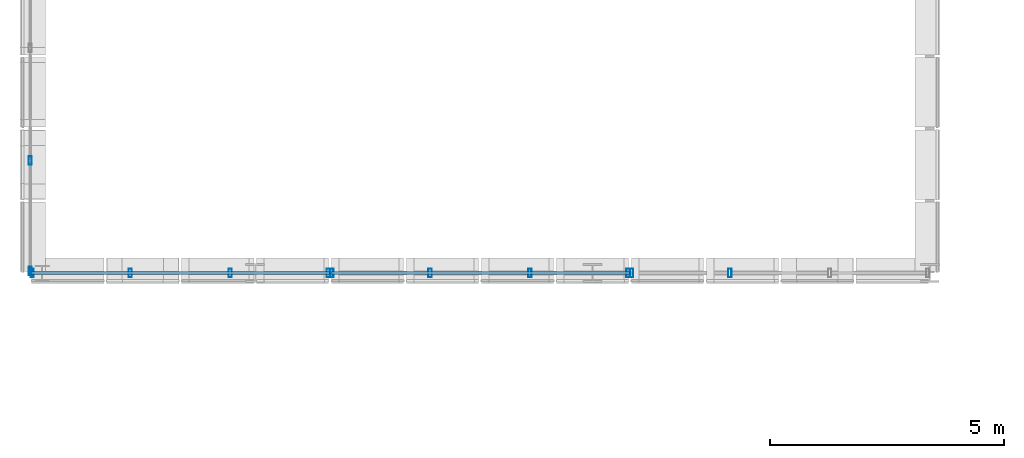
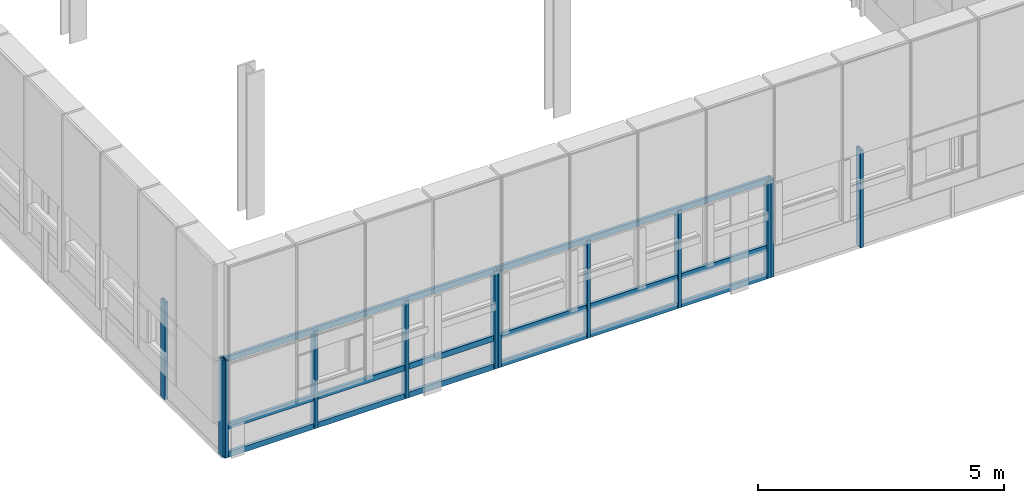
# One storey, part 10 of 96: 18 members, 4 elements without a shape of their own.
"""IFC4 building model written with IfcOpenShell, lengths in metres."""

from ifc_helpers import new_model, si_unit, direction, frame, origin, origin_2d, place, context, subcontext, project, spatial, hollow_rectangle, extrude, material, material_profile, profile_set, type_object, element, aggregate, save


model = new_model("IFC4")

# Units and contexts
model_context = context("Model", 3, precision=1e-05, world=origin(), true_north=direction((0.0, 1.0)))
body_context = subcontext(model_context, "Body", "Model", "MODEL_VIEW")
ifc_project = project(units=[si_unit("LENGTHUNIT", "METRE"), si_unit("AREAUNIT", "SQUARE_METRE"), si_unit("VOLUMEUNIT", "CUBIC_METRE"), si_unit("PLANEANGLEUNIT", "RADIAN"), si_unit("MASSUNIT", "GRAM", prefix="KILO")], contexts=[model_context])

# Site, building, storey
site_placement = place(None, origin())
site = spatial("IfcSite", under=ifc_project, at=site_placement, CompositionType="ELEMENT")
building_placement = place(site_placement, origin())
building = spatial("IfcBuilding", under=site, at=building_placement, Name="Yarey Park Central Fire Station", CompositionType="ELEMENT")
storey_placement = place(building_placement, frame((0.0, 0.0, 14.39990234375)))
storey = spatial("IfcBuildingStorey", under=building, at=storey_placement, Name="L04", CompositionType="ELEMENT", Elevation=14.39990234375)

# Curtain wall, members
ifc_material = material(Name="Anodized Aluminium Frame", Category="aluminium")
curtain_wall_type = type_object("IfcCurtainWallType", Name="ENV_CW_V3_OVR2", PredefinedType="NOTDEFINED", material=ifc_material)
curtain_wall_1_placement = place(storey_placement, origin())
curtain_wall_1 = element("IfcCurtainWall", 1, at=curtain_wall_1_placement, inside=storey, type_object=curtain_wall_type, Name="CW_L04_DRUM_S_065", PredefinedType="NOTDEFINED")
ifc_material_profile_1 = material_profile(ifc_material, hollow_rectangle(XDim=0.070068359375, YDim=0.179931640625, WallThickness=0.00390625, at=origin_2d()), Name="ALU 180x70x4")
ifc_profile_set_1 = profile_set([ifc_material_profile_1], Name="Anodized Aluminium Frame")
member_type_1 = type_object("IfcMemberType", Name="ENV_CW_MULLION", PredefinedType="MULLION", material=ifc_profile_set_1)
member_1_placement = place(storey_placement, frame((9.639892578125, 21.60009765625, 0.0), z_axis=(0.0, 0.0, 1.0), x_axis=(1.0, 0.0, 0.0)))
member_1 = element("IfcMember", 2, at=member_1_placement, type_object=member_type_1, Name="CW_L04_DRUM_S_065_MUL1", PredefinedType="MULLION", context=body_context, shape_type="SweptSolid", body=[
    extrude(hollow_rectangle(XDim=0.070068359375, YDim=0.179931640625, WallThickness=0.00390625, at=origin_2d()), origin(), (0.0, 0.0, 1.0), 2.420166015625),
])
member_2_placement = place(storey_placement, frame((11.7333984375, 21.60009765625, 0.0), z_axis=(0.0, 0.0, 1.0), x_axis=(1.0, 0.0, 0.0)))
member_2 = element("IfcMember", 3, at=member_2_placement, type_object=member_type_1, Name="CW_L04_DRUM_S_065_MUL2", PredefinedType="MULLION", context=body_context, shape_type="SweptSolid", body=[
    extrude(hollow_rectangle(XDim=0.070068359375, YDim=0.179931640625, WallThickness=0.00390625, at=origin_2d()), origin(), (0.0, 0.0, 1.0), 2.420166015625),
])
member_3_placement = place(storey_placement, frame((13.86669921875, 21.60009765625, 0.0), z_axis=(0.0, 0.0, 1.0), x_axis=(1.0, 0.0, 0.0)))
member_3 = element("IfcMember", 4, at=member_3_placement, type_object=member_type_1, Name="CW_L04_DRUM_S_065_MUL3", PredefinedType="MULLION", context=body_context, shape_type="SweptSolid", body=[
    extrude(hollow_rectangle(XDim=0.070068359375, YDim=0.179931640625, WallThickness=0.00390625, at=origin_2d()), origin(), (0.0, 0.0, 1.0), 2.420166015625),
])
member_4_placement = place(storey_placement, frame((15.9599609375, 21.60009765625, 0.0), z_axis=(0.0, 0.0, 1.0), x_axis=(1.0, 0.0, 0.0)))
member_4 = element("IfcMember", 5, at=member_4_placement, type_object=member_type_1, Name="CW_L04_DRUM_S_065_MUL4", PredefinedType="MULLION", context=body_context, shape_type="SweptSolid", body=[
    extrude(hollow_rectangle(XDim=0.070068359375, YDim=0.179931640625, WallThickness=0.00390625, at=origin_2d()), origin(), (0.0, 0.0, 1.0), 2.420166015625),
])

curtain_wall_2_placement = place(storey_placement, origin())
curtain_wall_2 = element("IfcCurtainWall", 6, at=curtain_wall_2_placement, inside=storey, type_object=curtain_wall_type, Name="CW_L04_DRUM_S_066", PredefinedType="NOTDEFINED")
member_5_placement = place(storey_placement, frame((16.0400390625, 21.60009765625, 0.0), z_axis=(0.0, 0.0, 1.0), x_axis=(1.0, 0.0, 0.0)))
member_5 = element("IfcMember", 7, at=member_5_placement, type_object=member_type_1, Name="CW_L04_DRUM_S_066_MUL1", PredefinedType="MULLION", context=body_context, shape_type="SweptSolid", body=[
    extrude(hollow_rectangle(XDim=0.070068359375, YDim=0.179931640625, WallThickness=0.00390625, at=origin_2d()), origin(), (0.0, 0.0, 1.0), 2.420166015625),
])
member_6_placement = place(storey_placement, frame((18.13330078125, 21.60009765625, 0.0), z_axis=(0.0, 0.0, 1.0), x_axis=(1.0, 0.0, 0.0)))
member_6 = element("IfcMember", 8, at=member_6_placement, type_object=member_type_1, Name="CW_L04_DRUM_S_066_MUL2", PredefinedType="MULLION", context=body_context, shape_type="SweptSolid", body=[
    extrude(hollow_rectangle(XDim=0.070068359375, YDim=0.179931640625, WallThickness=0.00390625, at=origin_2d()), origin(), (0.0, 0.0, 1.0), 2.420166015625),
])
member_7_placement = place(storey_placement, frame((20.2666015625, 21.60009765625, 0.0), z_axis=(0.0, 0.0, 1.0), x_axis=(1.0, 0.0, 0.0)))
member_7 = element("IfcMember", 9, at=member_7_placement, type_object=member_type_1, Name="CW_L04_DRUM_S_066_MUL3", PredefinedType="MULLION", context=body_context, shape_type="SweptSolid", body=[
    extrude(hollow_rectangle(XDim=0.070068359375, YDim=0.179931640625, WallThickness=0.00390625, at=origin_2d()), origin(), (0.0, 0.0, 1.0), 2.420166015625),
])
member_8_placement = place(storey_placement, frame((22.360107421875, 21.60009765625, 0.0), z_axis=(0.0, 0.0, 1.0), x_axis=(1.0, 0.0, 0.0)))
member_8 = element("IfcMember", 10, at=member_8_placement, type_object=member_type_1, Name="CW_L04_DRUM_S_066_MUL4", PredefinedType="MULLION", context=body_context, shape_type="SweptSolid", body=[
    extrude(hollow_rectangle(XDim=0.070068359375, YDim=0.179931640625, WallThickness=0.00390625, at=origin_2d()), origin(), (0.0, 0.0, 1.0), 2.420166015625),
])

curtain_wall_3_placement = place(storey_placement, origin())
curtain_wall_3 = element("IfcCurtainWall", 11, at=curtain_wall_3_placement, inside=storey, type_object=curtain_wall_type, Name="CW_L04_DRUM_S_067", PredefinedType="NOTDEFINED")
member_9_placement = place(storey_placement, frame((22.43994140625, 21.60009765625, 0.0), z_axis=(0.0, 0.0, 1.0), x_axis=(1.0, 0.0, 0.0)))
member_9 = element("IfcMember", 12, at=member_9_placement, type_object=member_type_1, Name="CW_L04_DRUM_S_067_MUL1", PredefinedType="MULLION", context=body_context, shape_type="SweptSolid", body=[
    extrude(hollow_rectangle(XDim=0.070068359375, YDim=0.179931640625, WallThickness=0.00390625, at=origin_2d()), origin(), (0.0, 0.0, 1.0), 2.420166015625),
])
member_10_placement = place(storey_placement, frame((24.533203125, 21.60009765625, 0.0), z_axis=(0.0, 0.0, 1.0), x_axis=(1.0, 0.0, 0.0)))
member_10 = element("IfcMember", 13, at=member_10_placement, type_object=member_type_1, Name="CW_L04_DRUM_S_067_MUL2", PredefinedType="MULLION", context=body_context, shape_type="SweptSolid", body=[
    extrude(hollow_rectangle(XDim=0.070068359375, YDim=0.179931640625, WallThickness=0.00390625, at=origin_2d()), origin(), (0.0, 0.0, 1.0), 2.420166015625),
])
aggregate(curtain_wall_3, [member_9, member_10])

curtain_wall_4_placement = place(storey_placement, origin())
curtain_wall_4 = element("IfcCurtainWall", 14, at=curtain_wall_4_placement, inside=storey, type_object=curtain_wall_type, Name="CW_L04_DRUM_W_068", PredefinedType="NOTDEFINED")
member_11_placement = place(storey_placement, frame((9.60009765625, 24.0, 0.0), z_axis=(0.0, 0.0, 1.0), x_axis=(1.0, 0.0, 0.0)))
member_11 = element("IfcMember", 15, at=member_11_placement, type_object=member_type_1, Name="CW_L04_DRUM_W_068_MUL3", PredefinedType="MULLION", context=body_context, shape_type="SweptSolid", body=[
    extrude(hollow_rectangle(XDim=0.070068359375, YDim=0.179931640625, WallThickness=0.00390625, at=origin_2d()), origin(), (0.0, 0.0, 1.0), 2.420166015625),
])
member_12_placement = place(storey_placement, frame((9.60009765625, 21.639892578125, 0.0), z_axis=(0.0, 0.0, 1.0), x_axis=(1.0, 0.0, 0.0)))
member_12 = element("IfcMember", 16, at=member_12_placement, type_object=member_type_1, Name="CW_L04_DRUM_W_068_MUL4", PredefinedType="MULLION", context=body_context, shape_type="SweptSolid", body=[
    extrude(hollow_rectangle(XDim=0.070068359375, YDim=0.179931640625, WallThickness=0.00390625, at=origin_2d()), origin(), (0.0, 0.0, 1.0), 2.420166015625),
])
aggregate(curtain_wall_4, [member_11, member_12])

# Member
ifc_material_profile_2 = material_profile(ifc_material, hollow_rectangle(XDim=0.070068359375, YDim=0.139892578125, WallThickness=0.00390625, at=origin_2d()), Name="ALU 140x70x4")
ifc_profile_set_2 = profile_set([ifc_material_profile_2], Name="Anodized Aluminium Frame")
member_type_2 = type_object("IfcMemberType", Name="ENV_CW_TRANSOM", PredefinedType="USERDEFINED", material=ifc_profile_set_2)
member_13_placement = place(storey_placement, frame((9.614990234375, 21.60009765625, 0.025146484375), z_axis=(1.0, 0.0, 0.0), x_axis=(0.0, 1.0, 0.0)))
member_13 = element("IfcMember", 17, at=member_13_placement, type_object=member_type_2, Name="CW_L04_DRUM_S_065_TRN1", ObjectType="TRANSOM", PredefinedType="USERDEFINED", context=body_context, shape_type="SweptSolid", body=[
    extrude(hollow_rectangle(XDim=0.070068359375, YDim=0.139892578125, WallThickness=0.00390625, at=origin_2d()), origin(), (0.0, 0.0, 1.0), 6.3701171875),
])

member_14_placement = place(storey_placement, frame((9.614990234375, 21.60009765625, 0.72607421875), z_axis=(1.0, 0.0, 0.0), x_axis=(0.0, 1.0, 0.0)))
member_14 = element("IfcMember", 18, at=member_14_placement, type_object=member_type_2, Name="CW_L04_DRUM_S_065_TRN2", ObjectType="TRANSOM", PredefinedType="USERDEFINED", context=body_context, shape_type="SweptSolid", body=[
    extrude(hollow_rectangle(XDim=0.070068359375, YDim=0.139892578125, WallThickness=0.00390625, at=origin_2d()), origin(), (0.0, 0.0, 1.0), 6.3701171875),
])

member_15_placement = place(storey_placement, frame((9.614990234375, 21.60009765625, 2.39501953125), z_axis=(1.0, 0.0, 0.0), x_axis=(0.0, 1.0, 0.0)))
member_15 = element("IfcMember", 19, at=member_15_placement, type_object=member_type_2, Name="CW_L04_DRUM_S_065_TRN3", ObjectType="TRANSOM", PredefinedType="USERDEFINED", context=body_context, shape_type="SweptSolid", body=[
    extrude(hollow_rectangle(XDim=0.070068359375, YDim=0.139892578125, WallThickness=0.00390625, at=origin_2d()), origin(), (0.0, 0.0, 1.0), 6.3701171875),
])

aggregate(curtain_wall_1, [member_1, member_2, member_3, member_4, member_13, member_14, member_15])

member_16_placement = place(storey_placement, frame((16.014892578125, 21.60009765625, 0.025146484375), z_axis=(1.0, 0.0, 0.0), x_axis=(0.0, 1.0, 0.0)))
member_16 = element("IfcMember", 20, at=member_16_placement, type_object=member_type_2, Name="CW_L04_DRUM_S_066_TRN1", ObjectType="TRANSOM", PredefinedType="USERDEFINED", context=body_context, shape_type="SweptSolid", body=[
    extrude(hollow_rectangle(XDim=0.070068359375, YDim=0.139892578125, WallThickness=0.00390625, at=origin_2d()), origin(), (0.0, 0.0, 1.0), 6.3701171875),
])

member_17_placement = place(storey_placement, frame((16.014892578125, 21.60009765625, 0.72607421875), z_axis=(1.0, 0.0, 0.0), x_axis=(0.0, 1.0, 0.0)))
member_17 = element("IfcMember", 21, at=member_17_placement, type_object=member_type_2, Name="CW_L04_DRUM_S_066_TRN2", ObjectType="TRANSOM", PredefinedType="USERDEFINED", context=body_context, shape_type="SweptSolid", body=[
    extrude(hollow_rectangle(XDim=0.070068359375, YDim=0.139892578125, WallThickness=0.00390625, at=origin_2d()), origin(), (0.0, 0.0, 1.0), 6.3701171875),
])

member_18_placement = place(storey_placement, frame((16.014892578125, 21.60009765625, 2.39501953125), z_axis=(1.0, 0.0, 0.0), x_axis=(0.0, 1.0, 0.0)))
member_18 = element("IfcMember", 22, at=member_18_placement, type_object=member_type_2, Name="CW_L04_DRUM_S_066_TRN3", ObjectType="TRANSOM", PredefinedType="USERDEFINED", context=body_context, shape_type="SweptSolid", body=[
    extrude(hollow_rectangle(XDim=0.070068359375, YDim=0.139892578125, WallThickness=0.00390625, at=origin_2d()), origin(), (0.0, 0.0, 1.0), 6.3701171875),
])

aggregate(curtain_wall_2, [member_5, member_6, member_7, member_8, member_16, member_17, member_18])

save(model, "model.ifc")
